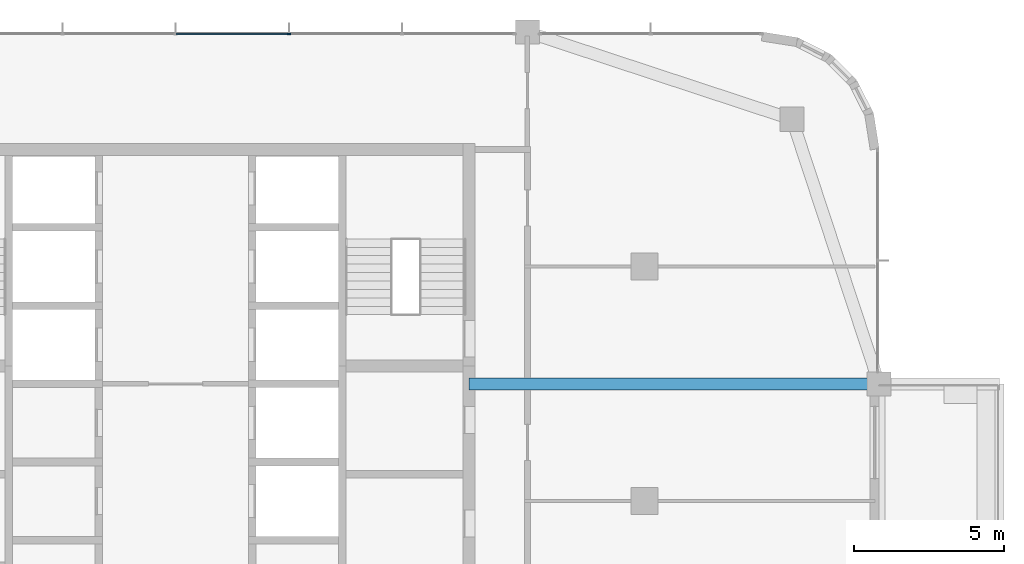
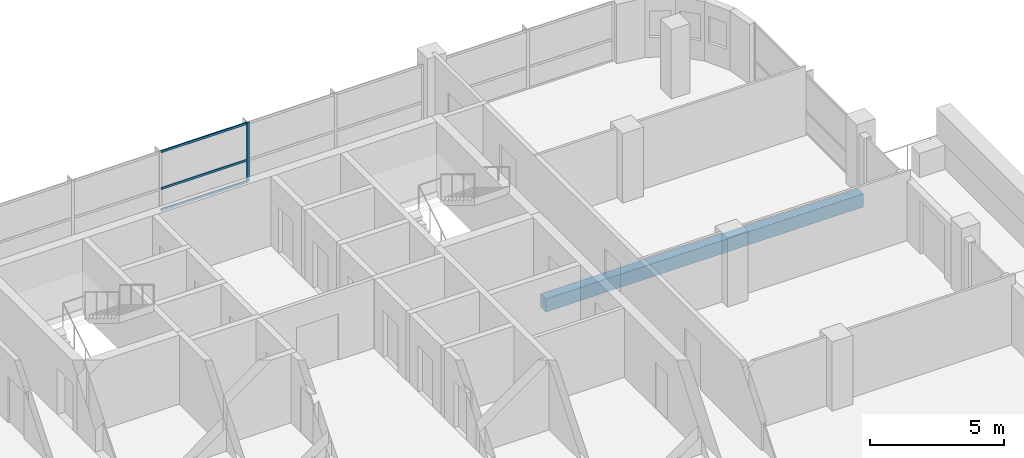
# One storey, part 8 of 22: 4 members, 1 beam, 1 element without a shape of its own.
"""IFC4 building model written with IfcOpenShell, lengths in metres."""

from ifc_helpers import new_model, si_unit, direction, frame, origin, origin_2d, place, context, subcontext, project, spatial, rectangle, extrude, material, material_profile, profile_set, type_object, element, aggregate, save


model = new_model("IFC4")

# Units and contexts
model_context = context("Model", 3, precision=1e-05, world=origin(), true_north=direction((0.0, 1.0)))
body_context = subcontext(model_context, "Body", "Model", "MODEL_VIEW")
ifc_project = project(units=[si_unit("LENGTHUNIT", "METRE"), si_unit("AREAUNIT", "SQUARE_METRE"), si_unit("VOLUMEUNIT", "CUBIC_METRE"), si_unit("PLANEANGLEUNIT", "RADIAN"), si_unit("MASSUNIT", "GRAM", prefix="KILO")], contexts=[model_context])

# Site, building, storey
site_placement = place(None, origin())
site = spatial("IfcSite", under=ifc_project, at=site_placement, CompositionType="ELEMENT")
building_placement = place(site_placement, origin())
building = spatial("IfcBuilding", under=site, at=building_placement, Name="Ludao Terraces", CompositionType="ELEMENT")
storey_placement = place(building_placement, frame((0.0, 0.0, 200.699951171875)))
storey = spatial("IfcBuildingStorey", under=building, at=storey_placement, Name="L54", CompositionType="ELEMENT", Elevation=200.699951171875)

# Curtain wall, members
ifc_material_1 = material(Name="Aluminium curtain wall with fritted glass", Category="aluminium")
curtain_wall_type = type_object("IfcCurtainWallType", Name="ENV CW3 community glazing", PredefinedType="NOTDEFINED", material=ifc_material_1)
curtain_wall_placement = place(storey_placement, origin())
curtain_wall = element("IfcCurtainWall", 1, at=curtain_wall_placement, inside=storey, type_object=curtain_wall_type, Name="Community floor glazing L54 N2", PredefinedType="NOTDEFINED")
ifc_material_2 = material(Name="Aluminium 6063-T6", Category="aluminium")
ifc_material_profile_1 = material_profile(ifc_material_2, rectangle(XDim=0.050048828125, YDim=0.1201171875, at=origin_2d()), Name="50 X 120")
ifc_profile_set_1 = profile_set([ifc_material_profile_1], Name="Aluminium 6063-T6")
member_type_1 = type_object("IfcMemberType", Name="ENV CW3 mullion 50x120", PredefinedType="MULLION", material=ifc_profile_set_1)
member_1_placement = place(storey_placement, frame((88.7666015625, 88.340087890625, 0.0), z_axis=(0.0, 0.0, 1.0), x_axis=(0.0, 1.0, 0.0)))
member_1 = element("IfcMember", 2, at=member_1_placement, type_object=member_type_1, Name="CW3 mullion 5", PredefinedType="MULLION", context=body_context, shape_type="SweptSolid", body=[
    extrude(rectangle(XDim=0.050048828125, YDim=0.1201171875, at=origin_2d()), origin(), (0.0, 0.0, 1.0), 2.699951171875),
])
ifc_material_profile_2 = material_profile(ifc_material_2, rectangle(XDim=0.050048828125, YDim=0.10009765625, at=origin_2d()), Name="50 X 100")
ifc_profile_set_2 = profile_set([ifc_material_profile_2], Name="Aluminium 6063-T6")
member_type_2 = type_object("IfcMemberType", Name="ENV CW3 transom 50x100", PredefinedType="USERDEFINED", material=ifc_profile_set_2)
member_2_placement = place(storey_placement, frame((85.02490234375, 88.340087890625, 0.025146484375), z_axis=(1.0, 0.0, 0.0), x_axis=(0.0, 1.0, 0.0)))
member_2 = element("IfcMember", 3, at=member_2_placement, type_object=member_type_2, Name="CW3 transom 4.1", ObjectType="TRANSOM", PredefinedType="USERDEFINED", context=body_context, shape_type="SweptSolid", body=[
    extrude(rectangle(XDim=0.050048828125, YDim=0.10009765625, at=origin_2d()), origin(), (0.0, 0.0, 1.0), 3.716796875),
])
member_3_placement = place(storey_placement, frame((85.02490234375, 88.340087890625, 1.0), z_axis=(1.0, 0.0, 0.0), x_axis=(0.0, 1.0, 0.0)))
member_3 = element("IfcMember", 4, at=member_3_placement, type_object=member_type_2, Name="CW3 transom 4.2", ObjectType="TRANSOM", PredefinedType="USERDEFINED", context=body_context, shape_type="SweptSolid", body=[
    extrude(rectangle(XDim=0.050048828125, YDim=0.10009765625, at=origin_2d()), origin(), (0.0, 0.0, 1.0), 3.716796875),
])
member_4_placement = place(storey_placement, frame((85.02490234375, 88.340087890625, 2.675048828125), z_axis=(1.0, 0.0, 0.0), x_axis=(0.0, 1.0, 0.0)))
member_4 = element("IfcMember", 5, at=member_4_placement, type_object=member_type_2, Name="CW3 transom 4.3", ObjectType="TRANSOM", PredefinedType="USERDEFINED", context=body_context, shape_type="SweptSolid", body=[
    extrude(rectangle(XDim=0.050048828125, YDim=0.10009765625, at=origin_2d()), origin(), (0.0, 0.0, 1.0), 3.716796875),
])
aggregate(curtain_wall, [member_1, member_2, member_3, member_4])

# Beam
ifc_material_3 = material(Name="Concrete C40", Category="concrete")
ifc_material_profile_3 = material_profile(ifc_material_3, rectangle(XDim=0.39990234375, YDim=0.60009765625, at=origin_2d()), Name="400 X 600")
ifc_profile_set_3 = profile_set([ifc_material_profile_3], Name="Concrete C40")
beam_type = type_object("IfcBeamType", Name="RC beam 400x600 C40", PredefinedType="BEAM", material=ifc_profile_set_3)
beam_placement = place(storey_placement, frame((94.75, 76.699951171875, -0.550048828125), z_axis=(1.0, 0.0, 0.0), x_axis=(0.0, 1.0, 0.0)))
element("IfcBeam", 6, at=beam_placement, inside=storey, type_object=beam_type, Name="Balcony beam L54 E767", PredefinedType="BEAM", context=body_context, shape_type="SweptSolid", body=[
    extrude(rectangle(XDim=0.39990234375, YDim=0.60009765625, at=origin_2d()), origin(), (0.0, 0.0, 1.0), 13.64990234375),
])

save(model, "model.ifc")
